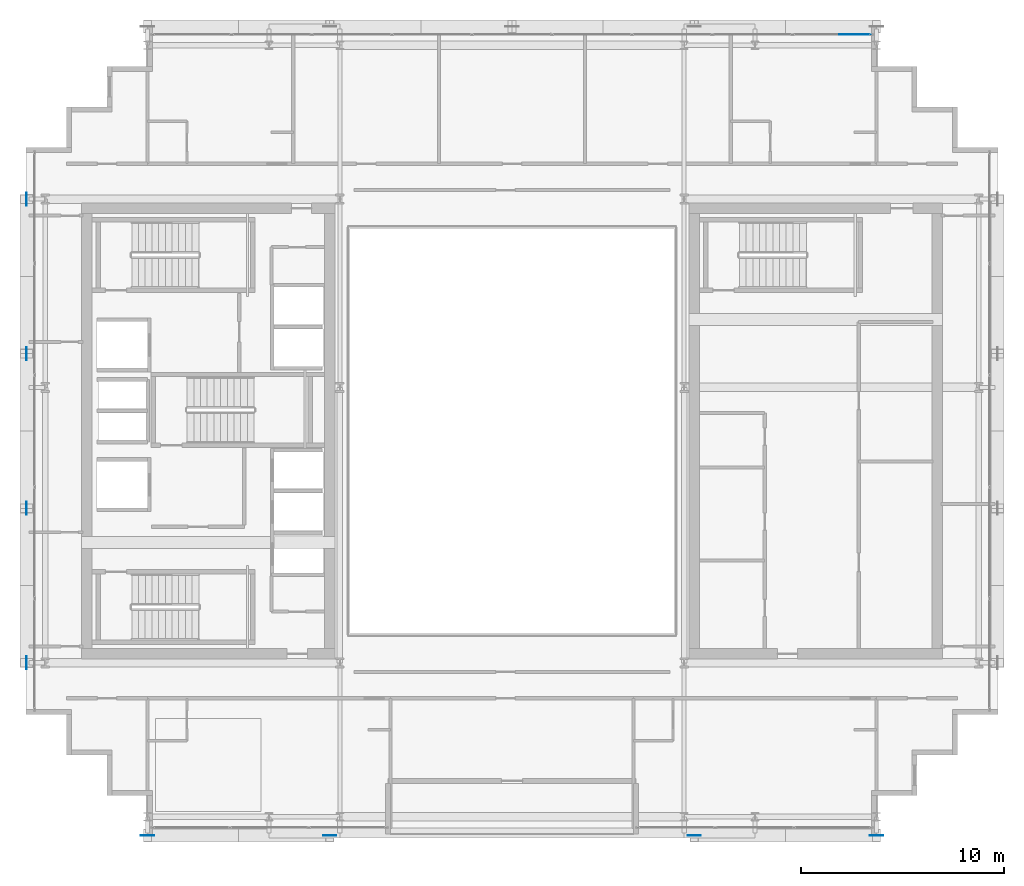
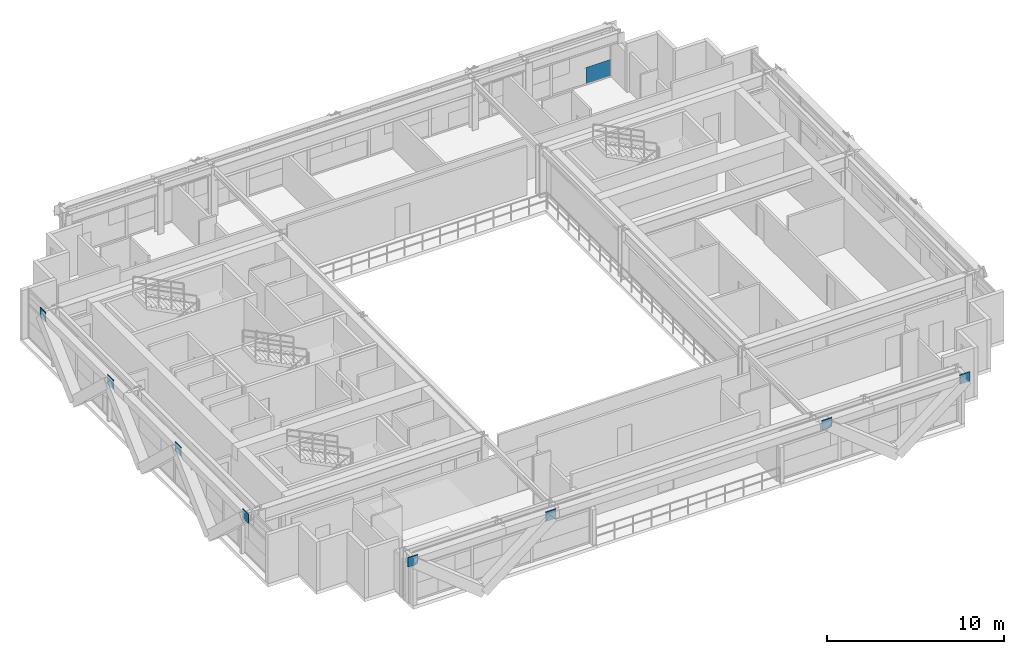
# One storey, part 22 of 31: 9 plates, 1 element without a shape of its own.
"""IFC4 building model written with IfcOpenShell, lengths in metres."""

from ifc_helpers import new_model, si_unit, direction, frame, origin, origin_2d, place, context, subcontext, project, spatial, rectangle, extrude, source, transform, mapped, material, layer, layer_set, type_object, element, aggregate, save


model = new_model("IFC4")

# Units and contexts
model_context = context("Model", 3, precision=1e-05, world=origin(), true_north=direction((0.0, 1.0)))
body_context = subcontext(model_context, "Body", "Model", "MODEL_VIEW")
ifc_project = project(units=[si_unit("LENGTHUNIT", "METRE"), si_unit("AREAUNIT", "SQUARE_METRE"), si_unit("VOLUMEUNIT", "CUBIC_METRE"), si_unit("PLANEANGLEUNIT", "RADIAN"), si_unit("MASSUNIT", "GRAM", prefix="KILO")], contexts=[model_context])

# Site, building, storey
site_placement = place(None, origin())
site = spatial("IfcSite", under=ifc_project, at=site_placement, CompositionType="ELEMENT")
building_placement = place(site_placement, origin())
building = spatial("IfcBuilding", under=site, at=building_placement, Name="Ocotamira Hotel", CompositionType="ELEMENT")
storey_placement = place(building_placement, frame((0.0, 0.0, 199.199951171875)))
storey = spatial("IfcBuildingStorey", under=building, at=storey_placement, Name="L50", CompositionType="ELEMENT", Elevation=199.199951171875)

# Plates
ifc_material_1 = material(Name="Pale-metal coated steel ASTM A572 Grade 50", Category="steel")
ifc_layer_1 = layer(ifc_material_1, 0.0400390625)
ifc_layer_set_1 = layer_set([ifc_layer_1], Name="Pale-metal coated steel ASTM A572 Grade 50")
plate_type_1 = type_object("IfcPlateType", Name="PLT-GUSSET-40", PredefinedType="SHEET", material=ifc_layer_set_1)
shared_shape_1 = source(origin(), body_context, "Body", "SweptSolid", [
    extrude(rectangle(XDim=0.64990234375, YDim=0.0400390625, at=origin_2d()), origin(), (0.0, 0.0, 1.0), 0.64990234375),
])
for number, where, z_axis, x_axis, name in (
    (1, (14.0, 6.030029296875, 2.795166015625), (0.0, 0.0, 1.0), (-1.0, 0.0, 0.0), "L50 Exoskeleton Diagrid S0.1 End Gusset B"),
    (2, (23.0, 6.030029296875, 2.795166015625), (0.0, 0.0, 1.0), (1.0, 0.0, 0.0), "L50 Exoskeleton Diagrid S0.2 End Gusset B"),
    (3, (41.0, 6.030029296875, 2.795166015625), (0.0, 0.0, 1.0), (-1.0, 0.0, 0.0), "L50 Exoskeleton Diagrid S3.1 End Gusset B"),
    (4, (50.0, 6.030029296875, 2.795166015625), (0.0, 0.0, 1.0), (1.0, 0.0, 0.0), "L50 Exoskeleton Diagrid S3.2 End Gusset B"),
):
    element("IfcPlate", number, at=place(storey_placement, frame(where, z_axis=z_axis, x_axis=x_axis)), inside=storey, type_object=plate_type_1, Name=name, PredefinedType="SHEET", context=body_context, shape_type="MappedRepresentation", body=[
        mapped(shared_shape_1, transform((0.0, 0.0, 0.0), scale=1.0)),
    ])
shared_shape_2 = source(origin(), body_context, "Body", "SweptSolid", [
    extrude(rectangle(XDim=0.0400390625, YDim=0.64990234375, at=origin_2d()), origin(), (0.0, 0.0, 1.0), 0.64990234375),
])
for number, where, z_axis, x_axis, name in (
    (5, (8.030029296875, 14.550048828125, 2.795166015625), (0.0, 0.0, 1.0), (1.0, 0.0, 0.0), "L50 Exoskeleton Diagrid W0.1 End Gusset B"),
    (6, (8.030029296875, 22.183349609375, 2.795166015625), (0.0, 0.0, 1.0), (1.0, 0.0, 0.0), "L50 Exoskeleton Diagrid W0.2 End Gusset B"),
    (7, (8.030029296875, 29.816650390625, 2.795166015625), (0.0, 0.0, 1.0), (1.0, 0.0, 0.0), "L50 Exoskeleton Diagrid W1.2 End Gusset B"),
    (8, (8.030029296875, 37.449951171875, 2.795166015625), (0.0, 0.0, 1.0), (1.0, 0.0, 0.0), "L50 Exoskeleton Diagrid W2.2 End Gusset B"),
):
    element("IfcPlate", number, at=place(storey_placement, frame(where, z_axis=z_axis, x_axis=x_axis)), inside=storey, type_object=plate_type_1, Name=name, PredefinedType="SHEET", context=body_context, shape_type="MappedRepresentation", body=[
        mapped(shared_shape_2, transform((0.0, 0.0, 0.0), scale=1.0)),
    ])

# Curtain wall, plate
ifc_material_2 = material(Name="Anodised pale-metal aluminium and solar glass", Category="aluminium")
ifc_layer_2 = layer(ifc_material_2, 0.199951171875)
ifc_layer_set_2 = layer_set([ifc_layer_2], Name="Anodised pale-metal aluminium and solar glass")
curtain_wall_type = type_object("IfcCurtainWallType", Name="CW-SYS4-Z3", PredefinedType="NOTDEFINED", material=ifc_layer_set_2)
curtain_wall_placement = place(storey_placement, origin())
curtain_wall = element("IfcCurtainWall", 9, at=curtain_wall_placement, inside=storey, type_object=curtain_wall_type, Name="L50 Curtain Wall CW-4 CW-L50-N", PredefinedType="NOTDEFINED")
ifc_material_3 = material(Name="Double-silver low-E insulated solar glass", Category="glass")
ifc_layer_3 = layer(ifc_material_3, 0.031982421875)
ifc_layer_set_3 = layer_set([ifc_layer_3], Name="Double-silver low-E insulated solar glass")
plate_type_2 = type_object("IfcPlateType", Name="CWP-VISION-32", PredefinedType="CURTAIN_PANEL", material=ifc_layer_set_3)
shared_shape_3 = source(origin(), body_context, "Body", "SweptSolid", [
    extrude(rectangle(XDim=1.5673828125, YDim=0.031982421875, at=origin_2d()), origin(), (0.0, 0.0, 1.0), 1.118896484375),
])
plate_placement = place(storey_placement, frame((48.936279296875, 45.580078125, 0.0751953125), z_axis=(0.0, 0.0, 1.0), x_axis=(1.0, 0.0, 0.0)))
plate = element("IfcPlate", 10, at=plate_placement, type_object=plate_type_2, Name="CW-4 panel 9.1.2", PredefinedType="CURTAIN_PANEL", context=body_context, shape_type="MappedRepresentation", body=[
    mapped(shared_shape_3, transform((0.0, 0.0, 0.0), scale=1.0)),
])
aggregate(curtain_wall, [plate])

save(model, "model.ifc")
